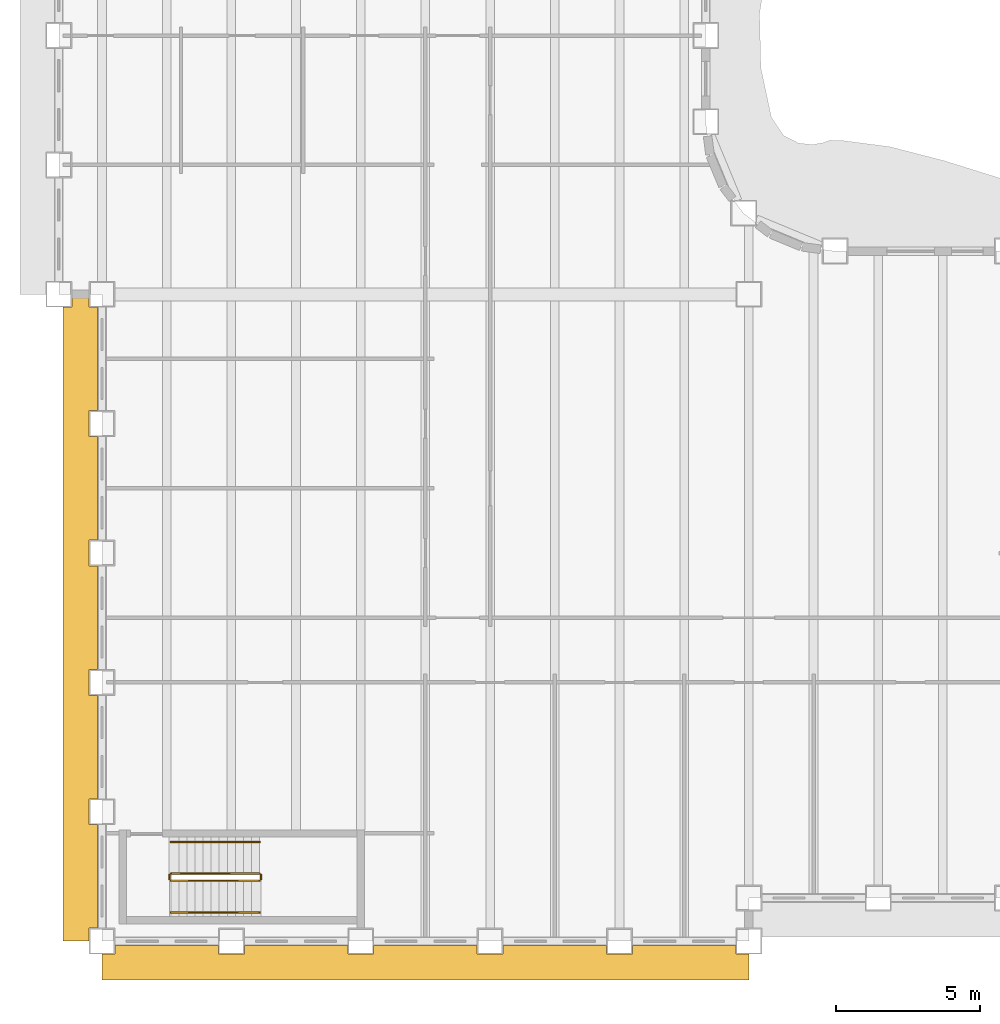
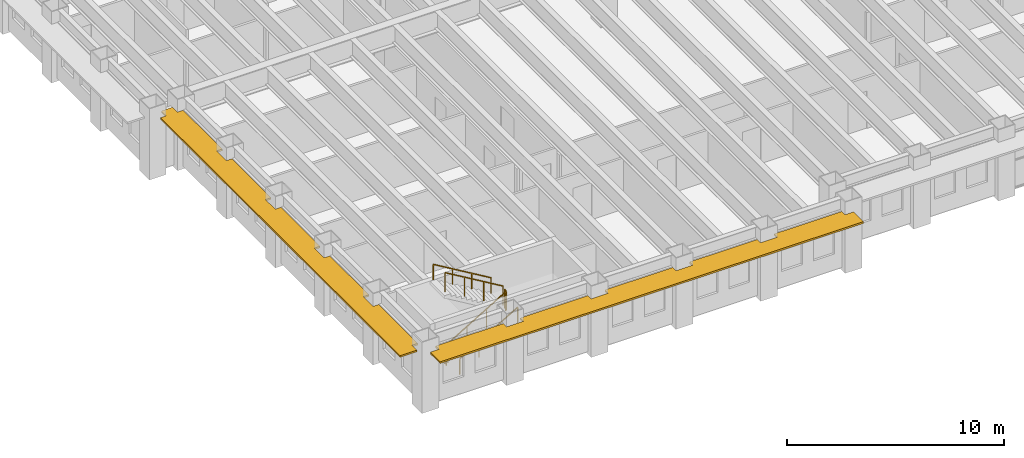
# One storey, part 12 of 17: 6 railings, 2 shading devices.
"""IFC4 building model written with IfcOpenShell, lengths in metres."""

from ifc_helpers import new_model, si_unit, direction, frame, origin, origin_2d, place, context, subcontext, project, spatial, polyline, rectangle, outline, extrude, material, layer, layer_set, type_object, element, save


model = new_model("IFC4")

# Units and contexts
model_context = context("Model", 3, precision=1e-05, world=origin(), true_north=direction((0.0, 1.0)))
body_context = subcontext(model_context, "Body", "Model", "MODEL_VIEW")
ifc_project = project(units=[si_unit("LENGTHUNIT", "METRE"), si_unit("AREAUNIT", "SQUARE_METRE"), si_unit("VOLUMEUNIT", "CUBIC_METRE"), si_unit("PLANEANGLEUNIT", "RADIAN"), si_unit("MASSUNIT", "GRAM", prefix="KILO")], contexts=[model_context])

# Site, building, storey
site_placement = place(None, origin())
site = spatial("IfcSite", under=ifc_project, at=site_placement, CompositionType="ELEMENT")
building_placement = place(site_placement, origin())
building = spatial("IfcBuilding", under=site, at=building_placement, Name="Sennacour Bend Tower", CompositionType="ELEMENT")
storey_placement = place(building_placement, frame((0.0, 0.0, 151.0)))
storey = spatial("IfcBuildingStorey", under=building, at=storey_placement, Name="L34", CompositionType="ELEMENT", Elevation=151.0)

# Railings
ifc_material_1 = material(Name="Stainless steel", Category="steel")
railing_type_1 = type_object("IfcRailingType", Name="RL-GUARD-1100", PredefinedType="GUARDRAIL", material=ifc_material_1)
railing_1_placement = place(storey_placement, frame((2.39990234375, 2.10009765625, 0.166748046875)))
element("IfcRailing", 1, at=railing_1_placement, inside=storey, type_object=railing_type_1, Name="L34 SK1 stair guard 1", PredefinedType="GUARDRAIL", context=body_context, shape_type="SweptSolid", body=[
    extrude(rectangle(XDim=0.048095703125, YDim=0.048095703125, at=origin_2d()), frame((0.0, 0.0, 1.076171875), z_axis=(0.859308565015, 0.0, 0.511457515432), x_axis=(0.0, 1.0, 0.0)), (0.0, 0.0, 1.0), 3.58447265625),
    extrude(rectangle(XDim=0.0419921875, YDim=0.0419921875, at=origin_2d()), origin(), (0.0, 0.0, 1.0), 1.052001953125),
    extrude(rectangle(XDim=0.0419921875, YDim=0.0419921875, at=origin_2d()), frame((1.026611328125, 0.0, 0.611083984375)), (0.0, 0.0, 1.0), 1.052001953125),
    extrude(rectangle(XDim=0.0419921875, YDim=0.0419921875, at=origin_2d()), frame((2.053466796875, 0.0, 1.22216796875)), (0.0, 0.0, 1.0), 1.052001953125),
    extrude(rectangle(XDim=0.0419921875, YDim=0.0419921875, at=origin_2d()), frame((3.080078125, 0.0, 1.833251953125)), (0.0, 0.0, 1.0), 1.052001953125),
])
railing_2_placement = place(storey_placement, frame((5.530029296875, 2.14990234375, 2.0)))
element("IfcRailing", 2, at=railing_2_placement, inside=storey, type_object=railing_type_1, Name="L34 SK1 stair guard 2", PredefinedType="GUARDRAIL", context=body_context, shape_type="SweptSolid", body=[
    extrude(rectangle(XDim=0.048095703125, YDim=0.048095703125, at=origin_2d()), frame((0.0, 0.0, 1.076171875), z_axis=(0.0, 1.0, 0.0), x_axis=(-1.0, 0.0, 0.0)), (0.0, 0.0, 1.0), 0.150146484375),
    extrude(rectangle(XDim=0.0419921875, YDim=0.0419921875, at=origin_2d()), origin(), (0.0, 0.0, 1.0), 1.052001953125),
    extrude(rectangle(XDim=0.0419921875, YDim=0.0419921875, at=origin_2d()), frame((0.0, 0.150146484375, 0.0)), (0.0, 0.0, 1.0), 1.052001953125),
])
railing_3_placement = place(storey_placement, frame((5.47998046875, 2.35009765625, 2.166748046875)))
element("IfcRailing", 3, at=railing_3_placement, inside=storey, type_object=railing_type_1, Name="L34 SK1 stair guard 3", PredefinedType="GUARDRAIL", context=body_context, shape_type="SweptSolid", body=[
    extrude(rectangle(XDim=0.048095703125, YDim=0.048095703125, at=origin_2d()), frame((0.0, 0.0, 1.076171875), z_axis=(-0.859308565015, 0.0, 0.511457515432), x_axis=(0.0, -1.0, 0.0)), (0.0, 0.0, 1.0), 3.58447265625),
    extrude(rectangle(XDim=0.0419921875, YDim=0.0419921875, at=origin_2d()), origin(), (0.0, 0.0, 1.0), 1.052001953125),
    extrude(rectangle(XDim=0.0419921875, YDim=0.0419921875, at=origin_2d()), frame((-1.026611328125, 0.0, 0.611083984375)), (0.0, 0.0, 1.0), 1.052001953125),
    extrude(rectangle(XDim=0.0419921875, YDim=0.0419921875, at=origin_2d()), frame((-2.053466796875, 0.0, 1.22216796875)), (0.0, 0.0, 1.0), 1.052001953125),
    extrude(rectangle(XDim=0.0419921875, YDim=0.0419921875, at=origin_2d()), frame((-3.080078125, 0.0, 1.833251953125)), (0.0, 0.0, 1.0), 1.052001953125),
])
railing_4_placement = place(storey_placement, frame((2.35009765625, 2.14990234375, 0.0)))
element("IfcRailing", 4, at=railing_4_placement, inside=storey, type_object=railing_type_1, Name="L34 SK1 stair guard 4", PredefinedType="GUARDRAIL", context=body_context, shape_type="SweptSolid", body=[
    extrude(rectangle(XDim=0.048095703125, YDim=0.048095703125, at=origin_2d()), frame((0.0, 0.0, 1.076171875), z_axis=(0.0, 1.0, 0.0), x_axis=(-1.0, 0.0, 0.0)), (0.0, 0.0, 1.0), 0.150146484375),
    extrude(rectangle(XDim=0.0419921875, YDim=0.0419921875, at=origin_2d()), origin(), (0.0, 0.0, 1.0), 1.052001953125),
    extrude(rectangle(XDim=0.0419921875, YDim=0.0419921875, at=origin_2d()), frame((0.0, 0.150146484375, 0.0)), (0.0, 0.0, 1.0), 1.052001953125),
])
railing_type_2 = type_object("IfcRailingType", Name="RL-HANDRAIL-900", PredefinedType="HANDRAIL", material=ifc_material_1)
railing_5_placement = place(storey_placement, frame((2.39990234375, 1.0, 0.166748046875)))
element("IfcRailing", 5, at=railing_5_placement, inside=storey, type_object=railing_type_2, Name="L34 SK1 stair handrail 1", PredefinedType="HANDRAIL", context=body_context, shape_type="SweptSolid", body=[
    extrude(rectangle(XDim=0.048095703125, YDim=0.048095703125, at=origin_2d()), frame((0.0, 0.0, 0.8759765625), z_axis=(0.859308565015, 0.0, 0.511457515432), x_axis=(0.0, 1.0, 0.0)), (0.0, 0.0, 1.0), 3.58447265625),
    extrude(rectangle(XDim=0.0419921875, YDim=0.0419921875, at=origin_2d()), origin(), (0.0, 0.0, 1.0), 0.851806640625),
    extrude(rectangle(XDim=0.0419921875, YDim=0.0419921875, at=origin_2d()), frame((1.026611328125, 0.0, 0.611083984375)), (0.0, 0.0, 1.0), 0.851806640625),
    extrude(rectangle(XDim=0.0419921875, YDim=0.0419921875, at=origin_2d()), frame((2.053466796875, 0.0, 1.22216796875)), (0.0, 0.0, 1.0), 0.851806640625),
    extrude(rectangle(XDim=0.0419921875, YDim=0.0419921875, at=origin_2d()), frame((3.080078125, 0.0, 1.833251953125)), (0.0, 0.0, 1.0), 0.851806640625),
])
railing_6_placement = place(storey_placement, frame((5.47998046875, 3.449951171875, 2.166748046875)))
element("IfcRailing", 6, at=railing_6_placement, inside=storey, type_object=railing_type_2, Name="L34 SK1 stair handrail 2", PredefinedType="HANDRAIL", context=body_context, shape_type="SweptSolid", body=[
    extrude(rectangle(XDim=0.048095703125, YDim=0.048095703125, at=origin_2d()), frame((0.0, 0.0, 0.8759765625), z_axis=(-0.859308565015, 0.0, 0.511457515432), x_axis=(0.0, -1.0, 0.0)), (0.0, 0.0, 1.0), 3.58447265625),
    extrude(rectangle(XDim=0.0419921875, YDim=0.0419921875, at=origin_2d()), origin(), (0.0, 0.0, 1.0), 0.851806640625),
    extrude(rectangle(XDim=0.0419921875, YDim=0.0419921875, at=origin_2d()), frame((-1.026611328125, 0.0, 0.611083984375)), (0.0, 0.0, 1.0), 0.851806640625),
    extrude(rectangle(XDim=0.0419921875, YDim=0.0419921875, at=origin_2d()), frame((-2.053466796875, 0.0, 1.22216796875)), (0.0, 0.0, 1.0), 0.851806640625),
    extrude(rectangle(XDim=0.0419921875, YDim=0.0419921875, at=origin_2d()), frame((-3.080078125, 0.0, 1.833251953125)), (0.0, 0.0, 1.0), 0.851806640625),
])

# Shading devices
ifc_material_2 = material(Name="Bronze anodised aluminium", Category="aluminium")
ifc_layer = layer(ifc_material_2, 0.10009765625, Name="Bronze anodised aluminium", Category="aluminium")
ifc_layer_set = layer_set([ifc_layer], Name="Bronze anodised aluminium")
shading_device_type = type_object("IfcShadingDeviceType", Name="SUNSHADE BAND STRAIGHT", PredefinedType="USERDEFINED", material=ifc_layer_set)
shading_device_1_placement = place(storey_placement, frame((0.0, 0.0, 3.049072265625)))
element("IfcShadingDevice", 7, at=shading_device_1_placement, inside=storey, type_object=shading_device_type, Name="Sunshade band L34 K outer face", ObjectType="SUNSHADE", PredefinedType="USERDEFINED", context=body_context, shape_type="SweptSolid", body=[
    extrude(outline(polyline([(4.050048828125, -0.14990234375), (4.050048828125, -0.449951171875), (4.949951171875, -0.449951171875), (4.949951171875, -0.14990234375), (8.550048828125, -0.14990234375), (8.550048828125, -0.449951171875), (9.449951171875, -0.449951171875), (9.449951171875, -0.14990234375), (13.050048828125, -0.14990234375), (13.050048828125, -0.449951171875), (13.949951171875, -0.449951171875), (13.949951171875, -0.14990234375), (17.550048828125, -0.14990234375), (17.550048828125, -0.449951171875), (18.449951171875, -0.449951171875), (18.449951171875, -0.14990234375), (22.050048828125, -0.14990234375), (22.050048828125, -0.449951171875), (22.5, -0.449951171875), (22.5, -1.35009765625), (0.0, -1.35009765625), (0.0, -0.449951171875), (0.449951171875, -0.449951171875), (0.449951171875, -0.14990234375), (4.050048828125, -0.14990234375)])), origin(), (0.0, 0.0, 1.0), 0.099853515625),
])
shading_device_2_placement = place(storey_placement, frame((0.0, 0.0, 3.049072265625)))
element("IfcShadingDevice", 8, at=shading_device_2_placement, inside=storey, type_object=shading_device_type, Name="Sunshade band L34 K outer face", ObjectType="SUNSHADE", PredefinedType="USERDEFINED", context=body_context, shape_type="SweptSolid", body=[
    extrude(outline(polyline([(-0.14990234375, 18.449951171875), (-0.449951171875, 18.449951171875), (-0.449951171875, 17.550048828125), (-0.14990234375, 17.550048828125), (-0.14990234375, 13.949951171875), (-0.449951171875, 13.949951171875), (-0.449951171875, 13.050048828125), (-0.14990234375, 13.050048828125), (-0.14990234375, 9.449951171875), (-0.449951171875, 9.449951171875), (-0.449951171875, 8.550048828125), (-0.14990234375, 8.550048828125), (-0.14990234375, 4.949951171875), (-0.449951171875, 4.949951171875), (-0.449951171875, 4.050048828125), (-0.14990234375, 4.050048828125), (-0.14990234375, 0.449951171875), (-0.449951171875, 0.449951171875), (-0.449951171875, 0.0), (-1.35009765625, 0.0), (-1.35009765625, 22.050048828125), (-1.050048828125, 22.050048828125), (-1.050048828125, 22.5), (-0.449951171875, 22.5), (-0.449951171875, 22.050048828125), (-0.14990234375, 22.050048828125), (-0.14990234375, 18.449951171875)])), origin(), (0.0, 0.0, 1.0), 0.099853515625),
])

save(model, "model.ifc")
